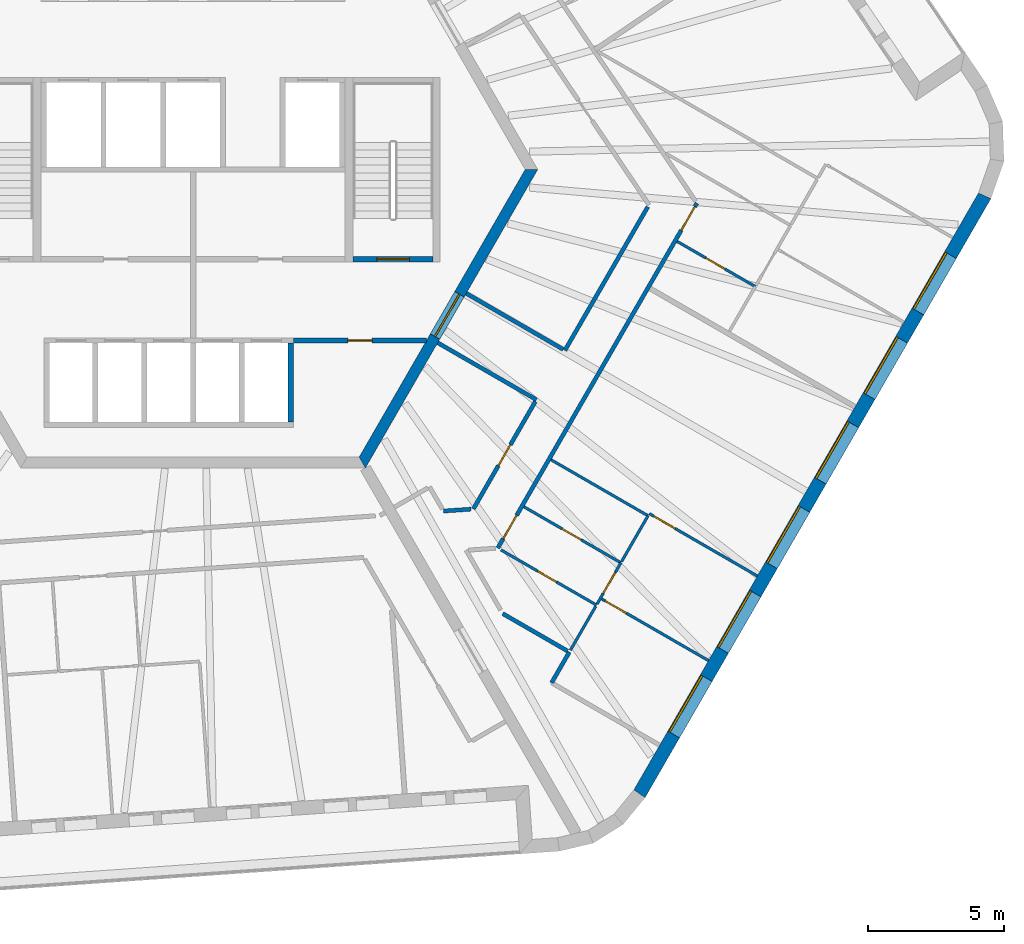
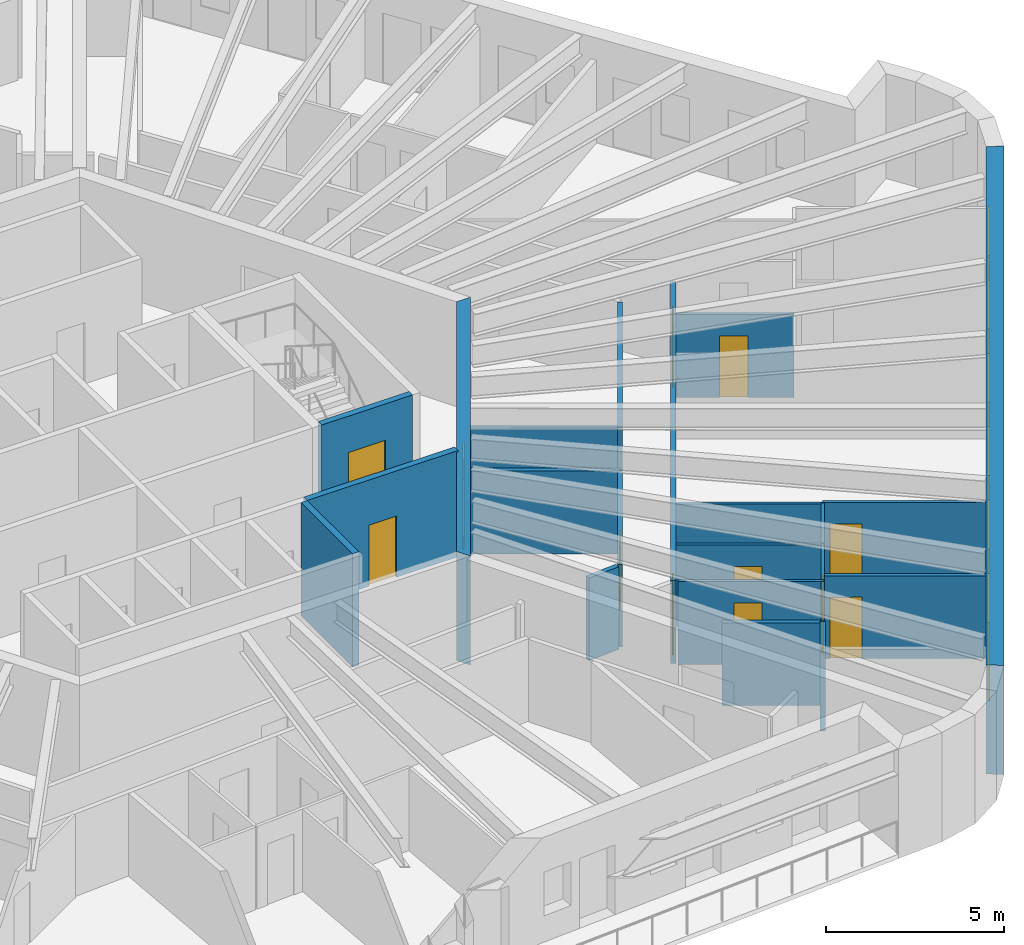
# One storey, part 6 of 12: 22 walls, 12 doors, 6 windows, 18 openings.
"""IFC4 building model written with IfcOpenShell, lengths in metres."""

from ifc_helpers import new_model, si_unit, direction, frame, frame_2d, origin, place, context, subcontext, project, spatial, polyline, rectangle, outline, extrude, material, layer, layer_set, type_object, element, fill, save


model = new_model("IFC4")

# Units and contexts
model_context = context("Model", 3, precision=1e-05, world=origin(), true_north=direction((0.0, 1.0)))
body_context = subcontext(model_context, "Body", "Model", "MODEL_VIEW")
ifc_project = project(units=[si_unit("LENGTHUNIT", "METRE"), si_unit("AREAUNIT", "SQUARE_METRE"), si_unit("VOLUMEUNIT", "CUBIC_METRE"), si_unit("PLANEANGLEUNIT", "RADIAN"), si_unit("MASSUNIT", "GRAM", prefix="KILO")], contexts=[model_context])

# Site, building, storey
site_placement = place(None, origin())
site = spatial("IfcSite", under=ifc_project, at=site_placement, CompositionType="ELEMENT")
building_placement = place(site_placement, origin())
building = spatial("IfcBuilding", under=site, at=building_placement, Name="Tarnside Tower", CompositionType="ELEMENT")
storey_placement = place(building_placement, frame((0.0, 0.0, 334.199951171875)))
storey = spatial("IfcBuildingStorey", under=building, at=storey_placement, Name="L81", CompositionType="ELEMENT", Elevation=334.199951171875)

# Wall
ifc_material_1 = material(Name="Gypsum board partition on steel studs", Category="steel")
ifc_layer_1 = layer(ifc_material_1, 0.10009765625)
ifc_layer_set_1 = layer_set([ifc_layer_1], Name="Bathroom wall 100")
wall_type_1 = type_object("IfcWallType", Name="Bathroom wall 100", PredefinedType="PARTITIONING", material=ifc_layer_set_1)
wall_1_placement = place(storey_placement, frame((13.194091796875, -10.697265625, 0.0), z_axis=(0.0, 0.0, 1.0), x_axis=(0.866019999656, -0.500009360108, 0.0)))
element("IfcWall", 1, at=wall_1_placement, inside=storey, type_object=wall_type_1, Name="Bathroom wall 26137", PredefinedType="PARTITIONING", context=body_context, shape_type="SweptSolid", body=[
    extrude(rectangle(XDim=4.125, YDim=0.10009765625, at=frame_2d((2.0625, 0.0))), origin(), (0.0, 0.0, 1.0), 2.837890625),
])

# Wall, opening, door
wall_2_placement = place(storey_placement, frame((15.766357421875, -14.491943359375, 0.0), z_axis=(0.0, 0.0, 1.0), x_axis=(-0.866019999656, 0.500009360108, 0.0)))
wall_2 = element("IfcWall", 2, at=wall_2_placement, inside=storey, type_object=wall_type_1, Name="Bathroom wall 26141", PredefinedType="PARTITIONING", context=body_context, shape_type="SweptSolid", body=[
    extrude(rectangle(XDim=4.125, YDim=0.10009765625, at=frame_2d((2.0625, 0.0))), origin(), (0.0, 0.0, 1.0), 2.837890625),
])
opening_1_placement = place(wall_2_placement, frame((1.699951171875, 0.0, 0.0)))
opening_1 = element("IfcOpeningElement", 3, at=opening_1_placement, cuts=wall_2, Name="Opening D-B1", PredefinedType="OPENING", context=body_context, shape_type="SweptSolid", body=[
    extrude(rectangle(XDim=0.800048828125, YDim=2.10009765625, at=frame_2d((0.39990234375, 1.050048828125))), frame((0.0, 0.06005859375, 0.0), z_axis=(0.0, -1.0, 0.0), x_axis=(1.0, 0.0, 0.0)), (0.0, 0.0, 1.0), 0.1201171875),
])
ifc_material_2 = material(Name="Timber door leaf", Category="wood")
door_type_1 = type_object("IfcDoorType", Name="Bathroom door 800", OperationType="NOTDEFINED", PredefinedType="DOOR", material=ifc_material_2)
door_1_placement = place(opening_1_placement, origin())
door_1 = element("IfcDoor", 4, at=door_1_placement, inside=storey, type_object=door_type_1, Name="Bathroom door 26041", OperationType="SINGLE_SWING_LEFT", OverallHeight=2.10009765625, OverallWidth=0.800048828125, PredefinedType="DOOR", context=body_context, shape_type="SweptSolid", body=[
    extrude(rectangle(XDim=0.800048828125, YDim=2.10009765625, at=frame_2d((0.39990234375, 1.050048828125))), frame((0.0, 0.02490234375, 0.0), z_axis=(0.0, -1.0, 0.0), x_axis=(1.0, 0.0, 0.0)), (0.0, 0.0, 1.0), 0.050048828125),
])
fill(opening_1, door_1)

wall_3_placement = place(storey_placement, frame((11.34521484375, -14.017822265625, 0.0), z_axis=(0.0, 0.0, 1.0), x_axis=(0.866028600041, -0.49999446388, 0.0)))
wall_3 = element("IfcWall", 5, at=wall_3_placement, inside=storey, type_object=wall_type_1, Name="Bathroom wall 26144", PredefinedType="PARTITIONING", context=body_context, shape_type="SweptSolid", body=[
    extrude(rectangle(XDim=4.06591796875, YDim=0.10009765625, at=frame_2d((2.032958984375, 0.0))), origin(), (0.0, 0.0, 1.0), 2.837890625),
])
opening_2_placement = place(wall_3_placement, frame((1.56591796875, 0.0, 0.0)))
opening_2 = element("IfcOpeningElement", 6, at=opening_2_placement, cuts=wall_3, Name="Opening D-B1", PredefinedType="OPENING", context=body_context, shape_type="SweptSolid", body=[
    extrude(rectangle(XDim=0.800048828125, YDim=2.10009765625, at=frame_2d((0.39990234375, 1.050048828125))), frame((0.0, 0.06005859375, 0.0), z_axis=(0.0, -1.0, 0.0), x_axis=(1.0, 0.0, 0.0)), (0.0, 0.0, 1.0), 0.1201171875),
])
door_2_placement = place(opening_2_placement, origin())
door_2 = element("IfcDoor", 7, at=door_2_placement, inside=storey, type_object=door_type_1, Name="Bathroom door 26050", OperationType="SINGLE_SWING_RIGHT", OverallHeight=2.10009765625, OverallWidth=0.800048828125, PredefinedType="DOOR", context=body_context, shape_type="SweptSolid", body=[
    extrude(rectangle(XDim=0.800048828125, YDim=2.10009765625, at=frame_2d((0.39990234375, 1.050048828125))), frame((0.0, 0.02490234375, 0.0), z_axis=(0.0, -1.0, 0.0), x_axis=(1.0, 0.0, 0.0)), (0.0, 0.0, 1.0), 0.050048828125),
])
fill(opening_2, door_2)

# Walls
wall_4_placement = place(storey_placement, frame((15.790283203125, -14.4501953125, 0.0), z_axis=(0.0, 0.0, 1.0), x_axis=(0.500036104519, 0.866004557827, 0.0)))
element("IfcWall", 8, at=wall_4_placement, inside=storey, type_object=wall_type_1, Name="Bathroom wall 26145", PredefinedType="PARTITIONING", context=body_context, shape_type="SweptSolid", body=[
    extrude(rectangle(XDim=1.953857421875, YDim=0.10009765625, at=frame_2d((0.97705078125, 0.0))), origin(), (0.0, 0.0, 1.0), 2.837890625),
])
wall_5_placement = place(storey_placement, frame((14.84130859375, -16.093994140625, 0.0), z_axis=(0.0, 0.0, 1.0), x_axis=(-0.500004234368, -0.866022959057, 0.0)))
element("IfcWall", 9, at=wall_5_placement, inside=storey, type_object=wall_type_1, Name="Bathroom wall 26147", PredefinedType="PARTITIONING", context=body_context, shape_type="SweptSolid", body=[
    extrude(rectangle(XDim=1.875, YDim=0.10009765625, at=frame_2d((0.9375, 0.0))), origin(), (0.0, 0.0, 1.0), 2.837890625),
])

# Wall, opening, door
wall_6_placement = place(storey_placement, frame((17.840087890625, -2.650146484375, 0.0), z_axis=(0.0, 0.0, 1.0), x_axis=(0.866002163101, -0.500040251884, 0.0)))
wall_6 = element("IfcWall", 10, at=wall_6_placement, inside=storey, type_object=wall_type_1, Name="Bathroom wall 26153", PredefinedType="PARTITIONING", context=body_context, shape_type="SweptSolid", body=[
    extrude(rectangle(XDim=3.324951171875, YDim=0.10009765625, at=frame_2d((1.66259765625, 0.0))), origin(), (0.0, 0.0, 1.0), 2.837890625),
])
opening_3_placement = place(wall_6_placement, frame((1.22509765625, 0.0, 0.0)))
opening_3 = element("IfcOpeningElement", 11, at=opening_3_placement, cuts=wall_6, Name="Opening D-B1", PredefinedType="OPENING", context=body_context, shape_type="SweptSolid", body=[
    extrude(rectangle(XDim=0.800048828125, YDim=2.10009765625, at=frame_2d((0.39990234375, 1.050048828125))), frame((0.0, 0.06005859375, 0.0), z_axis=(0.0, -1.0, 0.0), x_axis=(1.0, 0.0, 0.0)), (0.0, 0.0, 1.0), 0.1201171875),
])
door_3_placement = place(opening_3_placement, origin())
door_3 = element("IfcDoor", 12, at=door_3_placement, inside=storey, type_object=door_type_1, Name="Bathroom door 26052", OperationType="SINGLE_SWING_RIGHT", OverallHeight=2.10009765625, OverallWidth=0.800048828125, PredefinedType="DOOR", context=body_context, shape_type="SweptSolid", body=[
    extrude(rectangle(XDim=0.800048828125, YDim=2.10009765625, at=frame_2d((0.39990234375, 1.050048828125))), frame((0.0, 0.02490234375, 0.0), z_axis=(0.0, -1.0, 0.0), x_axis=(1.0, 0.0, 0.0)), (0.0, 0.0, 1.0), 0.050048828125),
])
fill(opening_3, door_3)

ifc_material_3 = material(Name="Concrete C40/50", Category="concrete")
ifc_layer_2 = layer(ifc_material_3, 0.199951171875)
ifc_layer_set_2 = layer_set([ifc_layer_2], Name="Core room partition 200 C40/50")
wall_type_2 = type_object("IfcWallType", Name="Core room partition 200 C40/50", PredefinedType="PARTITIONING", material=ifc_layer_set_2)
wall_7_placement = place(storey_placement, frame((3.699951171875, -6.300048828125, 0.0), z_axis=(0.0, 0.0, 1.0), x_axis=(1.0, 0.0, 0.0)))
wall_7 = element("IfcWall", 13, at=wall_7_placement, inside=storey, type_object=wall_type_2, Name="L81 core partition R4X", PredefinedType="PARTITIONING", context=body_context, shape_type="SweptSolid", body=[
    extrude(rectangle(XDim=4.902587890625, YDim=0.199951171875, at=frame_2d((2.451171875, 0.0))), origin(), (0.0, 0.0, 1.0), 3.650146484375),
])
opening_4_placement = place(wall_7_placement, frame((2.001220703125, 0.0, 0.0)))
opening_4 = element("IfcOpeningElement", 14, at=opening_4_placement, cuts=wall_7, Name="Opening CD-room", PredefinedType="OPENING", context=body_context, shape_type="SweptSolid", body=[
    extrude(rectangle(XDim=0.89990234375, YDim=2.10009765625, at=frame_2d((0.449951171875, 1.050048828125))), frame((0.0, 0.10986328125, 0.0), z_axis=(0.0, -1.0, 0.0), x_axis=(1.0, 0.0, 0.0)), (0.0, 0.0, 1.0), 0.219970703125),
])
ifc_material_4 = material(Name="Steel fire door", Category="steel")
door_type_2 = type_object("IfcDoorType", Name="Room door FD60 900x2100", OperationType="NOTDEFINED", PredefinedType="DOOR", material=ifc_material_4)
door_4_placement = place(opening_4_placement, origin())
door_4 = element("IfcDoor", 15, at=door_4_placement, inside=storey, type_object=door_type_2, Name="L81 core room door RX", OperationType="SINGLE_SWING_LEFT", OverallHeight=2.10009765625, OverallWidth=0.89990234375, PredefinedType="DOOR", context=body_context, shape_type="SweptSolid", body=[
    extrude(rectangle(XDim=0.89990234375, YDim=2.10009765625, at=frame_2d((0.449951171875, 1.050048828125))), frame((0.0, 0.02490234375, 0.0), z_axis=(0.0, -1.0, 0.0), x_axis=(1.0, 0.0, 0.0)), (0.0, 0.0, 1.0), 0.050048828125),
])
fill(opening_4, door_4)

ifc_material_5 = material(Name="Concrete C60/75", Category="concrete")
ifc_layer_3 = layer(ifc_material_5, 0.39990234375)
ifc_layer_set_3 = layer_set([ifc_layer_3], Name="Core wall Z3 400 C60/75")
wall_type_3 = type_object("IfcWallType", Name="Core wall Z3 400 C60/75", PredefinedType="SHEAR", material=ifc_layer_set_3)
wall_8_placement = place(storey_placement, frame((6.2353515625, -10.800048828125, -0.14990234375), z_axis=(0.0, 0.0, 1.0), x_axis=(0.499996419489, 0.866027470984, 0.0)))
wall_8 = element("IfcWall", 16, at=wall_8_placement, inside=storey, type_object=wall_type_3, Name="L81 core wall face 5", PredefinedType="SHEAR", context=body_context, shape_type="SweptSolid", body=[
    extrude(outline(polyline([(-0.115478515625, -0.199951171875), (12.586181640625, -0.199951171875), (12.355224609375, 0.199951171875), (0.115478515625, 0.199951171875), (-0.115478515625, -0.199951171875)])), origin(), (0.0, 0.0, 1.0), 3.75),
])
opening_5_placement = place(wall_8_placement, frame((5.3642578125, 0.0, 0.14990234375)))
opening_5 = element("IfcOpeningElement", 17, at=opening_5_placement, cuts=wall_8, Name="Opening CD-FFL", PredefinedType="OPENING", context=body_context, shape_type="SweptSolid", body=[
    extrude(rectangle(XDim=1.800048828125, YDim=2.39990234375, at=frame_2d((0.89990234375, 1.199951171875))), frame((0.0, 0.2099609375, 0.0), z_axis=(0.0, -1.0, 0.0), x_axis=(1.0, 0.0, 0.0)), (0.0, 0.0, 1.0), 0.419921875),
])
door_type_3 = type_object("IfcDoorType", Name="Firefighting lobby double door FD60S 1800x2400", OperationType="NOTDEFINED", PredefinedType="DOOR", material=ifc_material_4)
door_5_placement = place(opening_5_placement, origin())
door_5 = element("IfcDoor", 18, at=door_5_placement, inside=storey, type_object=door_type_3, Name="L81 core door P4", OperationType="DOUBLE_DOOR_SINGLE_SWING", OverallHeight=2.39990234375, OverallWidth=1.800048828125, PredefinedType="DOOR", context=body_context, shape_type="SweptSolid", body=[
    extrude(rectangle(XDim=1.800048828125, YDim=2.39990234375, at=frame_2d((0.89990234375, 1.199951171875))), frame((0.0, 0.02490234375, 0.0), z_axis=(0.0, -1.0, 0.0), x_axis=(1.0, 0.0, 0.0)), (0.0, 0.0, 1.0), 0.050048828125),
])
fill(opening_5, door_5)

# Wall, openings, doors
ifc_layer_4 = layer(ifc_material_1, 0.14990234375)
ifc_layer_set_4 = layer_set([ifc_layer_4], Name="Corridor wall 150 EI 60")
wall_type_4 = type_object("IfcWallType", Name="Corridor wall 150 EI 60", PredefinedType="PARTITIONING", material=ifc_layer_set_4)
wall_9_placement = place(storey_placement, frame((11.22900390625, -13.95068359375, 0.0), z_axis=(0.0, 0.0, 1.0), x_axis=(0.499997948852, 0.866026588012, 0.0)))
wall_9 = element("IfcWall", 19, at=wall_9_placement, inside=storey, type_object=wall_type_4, Name="Corridor wall 26054", PredefinedType="PARTITIONING", context=body_context, shape_type="SweptSolid", body=[
    extrude(rectangle(XDim=14.67724609375, YDim=0.14990234375, at=frame_2d((7.338623046875, 0.0))), origin(), (0.0, 0.0, 1.0), 2.837890625),
])
opening_6_placement = place(wall_9_placement, frame((0.39990234375, 0.0, 0.0)))
opening_6 = element("IfcOpeningElement", 20, at=opening_6_placement, cuts=wall_9, Name="Opening D-E1", PredefinedType="OPENING", context=body_context, shape_type="SweptSolid", body=[
    extrude(rectangle(XDim=1.0, YDim=2.10009765625, at=frame_2d((0.5, 1.050048828125))), frame((0.0, 0.0849609375, 0.0), z_axis=(0.0, -1.0, 0.0), x_axis=(1.0, 0.0, 0.0)), (0.0, 0.0, 1.0), 0.169921875),
])
opening_7_placement = place(wall_9_placement, frame((13.52734375, 0.0, 0.0)))
opening_7 = element("IfcOpeningElement", 21, at=opening_7_placement, cuts=wall_9, Name="Opening D-E1", PredefinedType="OPENING", context=body_context, shape_type="SweptSolid", body=[
    extrude(rectangle(XDim=1.0, YDim=2.10009765625, at=frame_2d((0.5, 1.050048828125))), frame((0.0, 0.0849609375, 0.0), z_axis=(0.0, -1.0, 0.0), x_axis=(1.0, 0.0, 0.0)), (0.0, 0.0, 1.0), 0.169921875),
])
door_type_4 = type_object("IfcDoorType", Name="Unit entrance door 1000 FD30S", OperationType="NOTDEFINED", PredefinedType="DOOR", material=ifc_material_2)
door_6_placement = place(opening_6_placement, origin())
door_6 = element("IfcDoor", 22, at=door_6_placement, inside=storey, type_object=door_type_4, Name="Unit door 26040", OperationType="SINGLE_SWING_RIGHT", OverallHeight=2.10009765625, OverallWidth=1.0, PredefinedType="DOOR", context=body_context, shape_type="SweptSolid", body=[
    extrude(rectangle(XDim=1.0, YDim=2.10009765625, at=frame_2d((0.5, 1.050048828125))), frame((0.0, 0.02490234375, 0.0), z_axis=(0.0, -1.0, 0.0), x_axis=(1.0, 0.0, 0.0)), (0.0, 0.0, 1.0), 0.050048828125),
])
fill(opening_6, door_6)
door_7_placement = place(opening_7_placement, origin())
door_7 = element("IfcDoor", 23, at=door_7_placement, inside=storey, type_object=door_type_4, Name="Unit door 26051", OperationType="SINGLE_SWING_LEFT", OverallHeight=2.10009765625, OverallWidth=1.0, PredefinedType="DOOR", context=body_context, shape_type="SweptSolid", body=[
    extrude(rectangle(XDim=1.0, YDim=2.10009765625, at=frame_2d((0.5, 1.050048828125))), frame((0.0, 0.02490234375, 0.0), z_axis=(0.0, -1.0, 0.0), x_axis=(1.0, 0.0, 0.0)), (0.0, 0.0, 1.0), 0.050048828125),
])
fill(opening_7, door_7)

# Walls
wall_10_placement = place(storey_placement, frame((13.212890625, -18.91455078125, 0.0), z_axis=(0.0, 0.0, 1.0), x_axis=(0.499985832843, 0.866033583042, 0.0)))
element("IfcWall", 24, at=wall_10_placement, inside=storey, type_object=wall_type_4, Name="Corridor wall 26057", PredefinedType="PARTITIONING", context=body_context, shape_type="SweptSolid", body=[
    extrude(rectangle(XDim=1.310546875, YDim=0.14990234375, at=frame_2d((0.6552734375, 0.0))), origin(), (0.0, 0.0, 1.0), 2.837890625),
])
wall_11_placement = place(storey_placement, frame((13.801513671875, -17.7451171875, 0.0), z_axis=(0.0, 0.0, 1.0), x_axis=(-0.866051521422, 0.499954760196, 0.0)))
element("IfcWall", 25, at=wall_11_placement, inside=storey, type_object=wall_type_4, Name="Corridor wall 26059", PredefinedType="PARTITIONING", context=body_context, shape_type="SweptSolid", body=[
    extrude(rectangle(XDim=2.759521484375, YDim=0.14990234375, at=frame_2d((1.3798828125, 0.0))), origin(), (0.0, 0.0, 1.0), 2.837890625),
])
wall_12_placement = place(storey_placement, frame((9.015625, -6.38427734375, 0.0), z_axis=(0.0, 0.0, 1.0), x_axis=(0.866023935413, -0.500002543286, 0.0)))
element("IfcWall", 26, at=wall_12_placement, inside=storey, type_object=wall_type_4, Name="Corridor wall 26072", PredefinedType="PARTITIONING", context=body_context, shape_type="SweptSolid", body=[
    extrude(rectangle(XDim=4.2001953125, YDim=0.14990234375, at=frame_2d((2.10009765625, 0.0))), origin(), (0.0, 0.0, 1.0), 2.837890625),
])

# Wall, opening, door
wall_13_placement = place(storey_placement, frame((12.615478515625, -8.54931640625, 0.0), z_axis=(0.0, 0.0, 1.0), x_axis=(-0.499985850067, -0.866033573098, 0.0)))
wall_13 = element("IfcWall", 27, at=wall_13_placement, inside=storey, type_object=wall_type_4, Name="Corridor wall 26073", PredefinedType="PARTITIONING", context=body_context, shape_type="SweptSolid", body=[
    extrude(rectangle(XDim=4.573486328125, YDim=0.14990234375, at=frame_2d((2.28662109375, 0.0))), origin(), (0.0, 0.0, 1.0), 2.837890625),
])
opening_8_placement = place(wall_13_placement, frame((1.836669921875, 0.0, 0.0)))
opening_8 = element("IfcOpeningElement", 28, at=opening_8_placement, cuts=wall_13, Name="Opening D-S1", PredefinedType="OPENING", context=body_context, shape_type="SweptSolid", body=[
    extrude(rectangle(XDim=0.89990234375, YDim=2.10009765625, at=frame_2d((0.449951171875, 1.050048828125))), frame((0.0, 0.0849609375, 0.0), z_axis=(0.0, -1.0, 0.0), x_axis=(1.0, 0.0, 0.0)), (0.0, 0.0, 1.0), 0.169921875),
])
door_type_5 = type_object("IfcDoorType", Name="Service room door 900 FD30S", OperationType="NOTDEFINED", PredefinedType="DOOR", material=ifc_material_2)
door_8_placement = place(opening_8_placement, origin())
door_8 = element("IfcDoor", 29, at=door_8_placement, inside=storey, type_object=door_type_5, Name="Service door 26075", OperationType="SINGLE_SWING_LEFT", OverallHeight=2.10009765625, OverallWidth=0.89990234375, PredefinedType="DOOR", context=body_context, shape_type="SweptSolid", body=[
    extrude(rectangle(XDim=0.89990234375, YDim=2.10009765625, at=frame_2d((0.449951171875, 1.050048828125))), frame((0.0, 0.02490234375, 0.0), z_axis=(0.0, -1.0, 0.0), x_axis=(1.0, 0.0, 0.0)), (0.0, 0.0, 1.0), 0.050048828125),
])
fill(opening_8, door_8)

# Walls
wall_14_placement = place(storey_placement, frame((10.238525390625, -12.516357421875, 0.0), z_axis=(0.0, 0.0, 1.0), x_axis=(-0.997561825928, -0.069788275888, 0.0)))
element("IfcWall", 30, at=wall_14_placement, inside=storey, type_object=wall_type_4, Name="Corridor wall 26074", PredefinedType="PARTITIONING", context=body_context, shape_type="SweptSolid", body=[
    extrude(rectangle(XDim=1.010986328125, YDim=0.14990234375, at=frame_2d((0.50537109375, 0.0))), origin(), (0.0, 0.0, 1.0), 2.837890625),
])
wall_15_placement = place(storey_placement, frame((16.75830078125, -1.373779296875, 0.0), z_axis=(0.0, 0.0, 1.0), x_axis=(-0.499980689202, -0.866036552592, 0.0)))
element("IfcWall", 31, at=wall_15_placement, inside=storey, type_object=wall_type_4, Name="Corridor wall 26079", PredefinedType="PARTITIONING", context=body_context, shape_type="SweptSolid", body=[
    extrude(rectangle(XDim=6.110595703125, YDim=0.14990234375, at=frame_2d((3.05517578125, 0.0))), origin(), (0.0, 0.0, 1.0), 2.837890625),
])
wall_16_placement = place(storey_placement, frame((13.63818359375, -6.628173828125, 0.0), z_axis=(0.0, 0.0, 1.0), x_axis=(-0.866034795751, 0.499983732284, 0.0)))
element("IfcWall", 32, at=wall_16_placement, inside=storey, type_object=wall_type_4, Name="Corridor wall 26080", PredefinedType="PARTITIONING", context=body_context, shape_type="SweptSolid", body=[
    extrude(rectangle(XDim=4.125244140625, YDim=0.14990234375, at=frame_2d((2.0625, 0.0))), origin(), (0.0, 0.0, 1.0), 2.837890625),
])
ifc_layer_5 = layer(ifc_material_3, 0.199951171875)
ifc_layer_set_5 = layer_set([ifc_layer_5], Name="Lift shaft wall 200 C40/50")
wall_type_5 = type_object("IfcWallType", Name="Lift shaft wall 200 C40/50", PredefinedType="SHEAR", material=ifc_layer_set_5)
wall_17_placement = place(storey_placement, frame((3.60009765625, -9.300048828125, -0.25), z_axis=(0.0, 0.0, 1.0), x_axis=(0.0, 1.0, 0.0)))
element("IfcWall", 33, at=wall_17_placement, inside=storey, type_object=wall_type_5, Name="L81 lift shaft partition R46", PredefinedType="SHEAR", context=body_context, shape_type="SweptSolid", body=[
    extrude(rectangle(XDim=2.900146484375, YDim=0.199951171875, at=frame_2d((1.4501953125, 0.0))), origin(), (0.0, 0.0, 1.0), 3.900146484375),
])

# Wall, opening, door
wall_18_placement = place(storey_placement, frame((5.89990234375, -3.300048828125, -0.25), z_axis=(0.0, 0.0, 1.0), x_axis=(1.0, 0.0, 0.0)))
wall_18 = element("IfcWall", 34, at=wall_18_placement, inside=storey, type_object=wall_type_5, Name="L81 stair 1 enclosure cap wall s", PredefinedType="SHEAR", context=body_context, shape_type="SweptSolid", body=[
    extrude(rectangle(XDim=2.9501953125, YDim=0.199951171875, at=frame_2d((1.47509765625, 0.0))), origin(), (0.0, 0.0, 1.0), 3.900146484375),
])
opening_9_placement = place(wall_18_placement, frame((0.875, 0.0, 0.25)))
opening_9 = element("IfcOpeningElement", 35, at=opening_9_placement, cuts=wall_18, Name="Opening CD-STR", PredefinedType="OPENING", context=body_context, shape_type="SweptSolid", body=[
    extrude(rectangle(XDim=1.199951171875, YDim=2.39990234375, at=frame_2d((0.60009765625, 1.199951171875))), frame((0.0, 0.10986328125, 0.0), z_axis=(0.0, -1.0, 0.0), x_axis=(1.0, 0.0, 0.0)), (0.0, 0.0, 1.0), 0.219970703125),
])
door_type_6 = type_object("IfcDoorType", Name="Stair door FD60S 1200x2400", OperationType="NOTDEFINED", PredefinedType="DOOR", material=ifc_material_4)
door_9_placement = place(opening_9_placement, origin())
door_9 = element("IfcDoor", 36, at=door_9_placement, inside=storey, type_object=door_type_6, Name="L81 stair 1 door", OperationType="SINGLE_SWING_LEFT", OverallHeight=2.39990234375, OverallWidth=1.199951171875, PredefinedType="DOOR", context=body_context, shape_type="SweptSolid", body=[
    extrude(rectangle(XDim=1.199951171875, YDim=2.39990234375, at=frame_2d((0.60009765625, 1.199951171875))), frame((0.0, 0.02490234375, 0.0), z_axis=(0.0, -1.0, 0.0), x_axis=(1.0, 0.0, 0.0)), (0.0, 0.0, 1.0), 0.050048828125),
])
fill(opening_9, door_9)

ifc_layer_6 = layer(ifc_material_1, 0.10009765625)
ifc_layer_set_6 = layer_set([ifc_layer_6], Name="Partition 100")
wall_type_6 = type_object("IfcWallType", Name="Partition 100", PredefinedType="PARTITIONING", material=ifc_layer_set_6)
wall_19_placement = place(storey_placement, frame((16.812255859375, -12.68017578125, 0.0), z_axis=(0.0, 0.0, 1.0), x_axis=(0.866030038822, -0.499991971794, 0.0)))
wall_19 = element("IfcWall", 37, at=wall_19_placement, inside=storey, type_object=wall_type_6, Name="Partition wall 26138", PredefinedType="PARTITIONING", context=body_context, shape_type="SweptSolid", body=[
    extrude(rectangle(XDim=4.60009765625, YDim=0.10009765625, at=frame_2d((2.300048828125, 0.0))), origin(), (0.0, 0.0, 1.0), 2.837890625),
])
opening_10_placement = place(wall_19_placement, frame((0.199951171875, 0.0, 0.0)))
opening_10 = element("IfcOpeningElement", 38, at=opening_10_placement, cuts=wall_19, Name="Opening D-I1", PredefinedType="OPENING", context=body_context, shape_type="SweptSolid", body=[
    extrude(rectangle(XDim=0.89990234375, YDim=2.10009765625, at=frame_2d((0.449951171875, 1.050048828125))), frame((0.0, 0.06005859375, 0.0), z_axis=(0.0, -1.0, 0.0), x_axis=(1.0, 0.0, 0.0)), (0.0, 0.0, 1.0), 0.1201171875),
])
door_type_7 = type_object("IfcDoorType", Name="Internal door 900", OperationType="NOTDEFINED", PredefinedType="DOOR", material=ifc_material_2)
door_10_placement = place(opening_10_placement, origin())
door_10 = element("IfcDoor", 39, at=door_10_placement, inside=storey, type_object=door_type_7, Name="Internal door 26049", OperationType="SINGLE_SWING_RIGHT", OverallHeight=2.10009765625, OverallWidth=0.89990234375, PredefinedType="DOOR", context=body_context, shape_type="SweptSolid", body=[
    extrude(rectangle(XDim=0.89990234375, YDim=2.10009765625, at=frame_2d((0.449951171875, 1.050048828125))), frame((0.0, 0.02490234375, 0.0), z_axis=(0.0, -1.0, 0.0), x_axis=(1.0, 0.0, 0.0)), (0.0, 0.0, 1.0), 0.050048828125),
])
fill(opening_10, door_10)

wall_20_placement = place(storey_placement, frame((14.890380859375, -16.009033203125, 0.0), z_axis=(0.0, 0.0, 1.0), x_axis=(0.499971461383, 0.866041879935, 0.0)))
wall_20 = element("IfcWall", 40, at=wall_20_placement, inside=storey, type_object=wall_type_6, Name="Partition wall 26142", PredefinedType="PARTITIONING", context=body_context, shape_type="SweptSolid", body=[
    extrude(rectangle(XDim=1.75390625, YDim=0.10009765625, at=frame_2d((0.876953125, 0.0))), origin(), (0.0, 0.0, 1.0), 2.837890625),
])
opening_11_placement = place(wall_20_placement, frame((0.44384765625, 0.0, 0.0)))
opening_11 = element("IfcOpeningElement", 41, at=opening_11_placement, cuts=wall_20, Name="Opening D-I1", PredefinedType="OPENING", context=body_context, shape_type="SweptSolid", body=[
    extrude(rectangle(XDim=0.89990234375, YDim=2.10009765625, at=frame_2d((0.449951171875, 1.050048828125))), frame((0.0, 0.06005859375, 0.0), z_axis=(0.0, -1.0, 0.0), x_axis=(1.0, 0.0, 0.0)), (0.0, 0.0, 1.0), 0.1201171875),
])
door_11_placement = place(opening_11_placement, origin())
door_11 = element("IfcDoor", 42, at=door_11_placement, inside=storey, type_object=door_type_7, Name="Internal door 26044", OperationType="SINGLE_SWING_RIGHT", OverallHeight=2.10009765625, OverallWidth=0.89990234375, PredefinedType="DOOR", context=body_context, shape_type="SweptSolid", body=[
    extrude(rectangle(XDim=0.89990234375, YDim=2.10009765625, at=frame_2d((0.449951171875, 1.050048828125))), frame((0.0, 0.02490234375, 0.0), z_axis=(0.0, -1.0, 0.0), x_axis=(1.0, 0.0, 0.0)), (0.0, 0.0, 1.0), 0.050048828125),
])
fill(opening_11, door_11)

wall_21_placement = place(storey_placement, frame((18.99609375, -18.097900390625, 0.0), z_axis=(0.0, 0.0, 1.0), x_axis=(-0.866035472144, 0.499982560684, 0.0)))
wall_21 = element("IfcWall", 43, at=wall_21_placement, inside=storey, type_object=wall_type_6, Name="Partition wall 26146", PredefinedType="PARTITIONING", context=body_context, shape_type="SweptSolid", body=[
    extrude(rectangle(XDim=4.550048828125, YDim=0.10009765625, at=frame_2d((2.27490234375, 0.0))), origin(), (0.0, 0.0, 1.0), 2.837890625),
])
opening_12_placement = place(wall_21_placement, frame((3.5, 0.0, 0.0)))
opening_12 = element("IfcOpeningElement", 44, at=opening_12_placement, cuts=wall_21, Name="Opening D-I1", PredefinedType="OPENING", context=body_context, shape_type="SweptSolid", body=[
    extrude(rectangle(XDim=0.89990234375, YDim=2.10009765625, at=frame_2d((0.449951171875, 1.050048828125))), frame((0.0, 0.06005859375, 0.0), z_axis=(0.0, -1.0, 0.0), x_axis=(1.0, 0.0, 0.0)), (0.0, 0.0, 1.0), 0.1201171875),
])
door_12_placement = place(opening_12_placement, origin())
door_12 = element("IfcDoor", 45, at=door_12_placement, inside=storey, type_object=door_type_7, Name="Internal door 26047", OperationType="SINGLE_SWING_RIGHT", OverallHeight=2.10009765625, OverallWidth=0.89990234375, PredefinedType="DOOR", context=body_context, shape_type="SweptSolid", body=[
    extrude(rectangle(XDim=0.89990234375, YDim=2.10009765625, at=frame_2d((0.449951171875, 1.050048828125))), frame((0.0, 0.02490234375, 0.0), z_axis=(0.0, -1.0, 0.0), x_axis=(1.0, 0.0, 0.0)), (0.0, 0.0, 1.0), 0.050048828125),
])
fill(opening_12, door_12)

# Wall, openings, windows
ifc_material_6 = material(Name="Facing brick", Category="masonry")
ifc_layer_7 = layer(ifc_material_6, 0.10205078125)
ifc_material_7 = material(Name="Concrete C60/75 precast", Category="concrete")
ifc_layer_8 = layer(ifc_material_7, 0.298095703125)
ifc_material_8 = material(Name="Mineral wool insulation")
ifc_layer_9 = layer(ifc_material_8, 0.10009765625)
ifc_layer_set_7 = layer_set([ifc_layer_7, ifc_layer_8, ifc_layer_9], Name="Tube wall 500 brick faced")
wall_type_7 = type_object("IfcWallType", Name="Tube wall 500 brick faced", PredefinedType="SOLIDWALL", material=ifc_layer_set_7)
wall_22_placement = place(storey_placement, frame((16.451416015625, -23.00537109375, -0.14990234375), z_axis=(0.0, 0.0, 1.0), x_axis=(0.500003737743, 0.866023245787, 0.0)))
wall_22 = element("IfcWall", 46, at=wall_22_placement, inside=storey, type_object=wall_type_7, Name="Tube wall L81 F5 flush 24", PredefinedType="SOLIDWALL", context=body_context, shape_type="SweptSolid", body=[
    extrude(outline(polyline([(-0.0205078125, -0.25), (25.468017578125, -0.25), (25.421142578125, 0.25), (0.0205078125, 0.25), (-0.0205078125, -0.25)])), origin(), (0.0, 0.0, 1.0), 3.75),
])
opening_13_placement = place(wall_22_placement, frame((2.5224609375, 0.0, 0.75)))
opening_13 = element("IfcOpeningElement", 47, at=opening_13_placement, cuts=wall_22, Name="Opening WR", PredefinedType="OPENING", context=body_context, shape_type="SweptSolid", body=[
    extrude(rectangle(XDim=2.39990234375, YDim=2.699951171875, at=frame_2d((1.199951171875, 1.35009765625))), frame((0.0, 0.260009765625, 0.0), z_axis=(0.0, -1.0, 0.0), x_axis=(1.0, 0.0, 0.0)), (0.0, 0.0, 1.0), 0.52001953125),
])
opening_14_placement = place(wall_22_placement, frame((6.122314453125, 0.0, 0.75)))
opening_14 = element("IfcOpeningElement", 48, at=opening_14_placement, cuts=wall_22, Name="Opening WR", PredefinedType="OPENING", context=body_context, shape_type="SweptSolid", body=[
    extrude(rectangle(XDim=2.39990234375, YDim=2.699951171875, at=frame_2d((1.199951171875, 1.35009765625))), frame((0.0, 0.260009765625, 0.0), z_axis=(0.0, -1.0, 0.0), x_axis=(1.0, 0.0, 0.0)), (0.0, 0.0, 1.0), 0.52001953125),
])
opening_15_placement = place(wall_22_placement, frame((9.722412109375, 0.0, 0.75)))
opening_15 = element("IfcOpeningElement", 49, at=opening_15_placement, cuts=wall_22, Name="Opening WR", PredefinedType="OPENING", context=body_context, shape_type="SweptSolid", body=[
    extrude(rectangle(XDim=2.39990234375, YDim=2.699951171875, at=frame_2d((1.199951171875, 1.35009765625))), frame((0.0, 0.260009765625, 0.0), z_axis=(0.0, -1.0, 0.0), x_axis=(1.0, 0.0, 0.0)), (0.0, 0.0, 1.0), 0.52001953125),
])
opening_16_placement = place(wall_22_placement, frame((13.322509765625, 0.0, 0.75)))
opening_16 = element("IfcOpeningElement", 50, at=opening_16_placement, cuts=wall_22, Name="Opening WR", PredefinedType="OPENING", context=body_context, shape_type="SweptSolid", body=[
    extrude(rectangle(XDim=2.39990234375, YDim=2.699951171875, at=frame_2d((1.199951171875, 1.35009765625))), frame((0.0, 0.260009765625, 0.0), z_axis=(0.0, -1.0, 0.0), x_axis=(1.0, 0.0, 0.0)), (0.0, 0.0, 1.0), 0.52001953125),
])
opening_17_placement = place(wall_22_placement, frame((16.92236328125, 0.0, 0.75)))
opening_17 = element("IfcOpeningElement", 51, at=opening_17_placement, cuts=wall_22, Name="Opening WR", PredefinedType="OPENING", context=body_context, shape_type="SweptSolid", body=[
    extrude(rectangle(XDim=2.39990234375, YDim=2.699951171875, at=frame_2d((1.199951171875, 1.35009765625))), frame((0.0, 0.260009765625, 0.0), z_axis=(0.0, -1.0, 0.0), x_axis=(1.0, 0.0, 0.0)), (0.0, 0.0, 1.0), 0.52001953125),
])
opening_18_placement = place(wall_22_placement, frame((20.5224609375, 0.0, 0.75)))
opening_18 = element("IfcOpeningElement", 52, at=opening_18_placement, cuts=wall_22, Name="Opening WR", PredefinedType="OPENING", context=body_context, shape_type="SweptSolid", body=[
    extrude(rectangle(XDim=2.39990234375, YDim=2.699951171875, at=frame_2d((1.199951171875, 1.35009765625))), frame((0.0, 0.260009765625, 0.0), z_axis=(0.0, -1.0, 0.0), x_axis=(1.0, 0.0, 0.0)), (0.0, 0.0, 1.0), 0.52001953125),
])
ifc_material_9 = material(Name="Aluminium-framed double glazing", Category="aluminium")
window_type = type_object("IfcWindowType", Name="Residence window 2400 x 2700", PartitioningType="DOUBLE_PANEL_VERTICAL", PredefinedType="WINDOW", material=ifc_material_9)
window_1_placement = place(opening_13_placement, frame((0.0, 0.179931640625, 0.0)))
window_1 = element("IfcWindow", 53, at=window_1_placement, inside=storey, type_object=window_type, Name="E.WN.L81.F5.00", OverallHeight=2.699951171875, OverallWidth=2.39990234375, PartitioningType="DOUBLE_PANEL_VERTICAL", PredefinedType="WINDOW", context=body_context, shape_type="SweptSolid", body=[
    extrude(rectangle(XDim=2.39990234375, YDim=2.699951171875, at=frame_2d((1.199951171875, 1.35009765625))), frame((0.0, 0.030029296875, 0.0), z_axis=(0.0, -1.0, 0.0), x_axis=(1.0, 0.0, 0.0)), (0.0, 0.0, 1.0), 0.06005859375),
])
fill(opening_13, window_1)
window_2_placement = place(opening_14_placement, frame((0.0, 0.179931640625, 0.0)))
window_2 = element("IfcWindow", 54, at=window_2_placement, inside=storey, type_object=window_type, Name="E.WN.L81.F5.01", OverallHeight=2.699951171875, OverallWidth=2.39990234375, PartitioningType="DOUBLE_PANEL_VERTICAL", PredefinedType="WINDOW", context=body_context, shape_type="SweptSolid", body=[
    extrude(rectangle(XDim=2.39990234375, YDim=2.699951171875, at=frame_2d((1.199951171875, 1.35009765625))), frame((0.0, 0.030029296875, 0.0), z_axis=(0.0, -1.0, 0.0), x_axis=(1.0, 0.0, 0.0)), (0.0, 0.0, 1.0), 0.06005859375),
])
fill(opening_14, window_2)
window_3_placement = place(opening_15_placement, frame((0.0, 0.179931640625, 0.0)))
window_3 = element("IfcWindow", 55, at=window_3_placement, inside=storey, type_object=window_type, Name="E.WN.L81.F5.02", OverallHeight=2.699951171875, OverallWidth=2.39990234375, PartitioningType="DOUBLE_PANEL_VERTICAL", PredefinedType="WINDOW", context=body_context, shape_type="SweptSolid", body=[
    extrude(rectangle(XDim=2.39990234375, YDim=2.699951171875, at=frame_2d((1.199951171875, 1.35009765625))), frame((0.0, 0.030029296875, 0.0), z_axis=(0.0, -1.0, 0.0), x_axis=(1.0, 0.0, 0.0)), (0.0, 0.0, 1.0), 0.06005859375),
])
fill(opening_15, window_3)
window_4_placement = place(opening_16_placement, frame((0.0, 0.179931640625, 0.0)))
window_4 = element("IfcWindow", 56, at=window_4_placement, inside=storey, type_object=window_type, Name="E.WN.L81.F5.03", OverallHeight=2.699951171875, OverallWidth=2.39990234375, PartitioningType="DOUBLE_PANEL_VERTICAL", PredefinedType="WINDOW", context=body_context, shape_type="SweptSolid", body=[
    extrude(rectangle(XDim=2.39990234375, YDim=2.699951171875, at=frame_2d((1.199951171875, 1.35009765625))), frame((0.0, 0.030029296875, 0.0), z_axis=(0.0, -1.0, 0.0), x_axis=(1.0, 0.0, 0.0)), (0.0, 0.0, 1.0), 0.06005859375),
])
fill(opening_16, window_4)
window_5_placement = place(opening_17_placement, frame((0.0, 0.179931640625, 0.0)))
window_5 = element("IfcWindow", 57, at=window_5_placement, inside=storey, type_object=window_type, Name="E.WN.L81.F5.04", OverallHeight=2.699951171875, OverallWidth=2.39990234375, PartitioningType="DOUBLE_PANEL_VERTICAL", PredefinedType="WINDOW", context=body_context, shape_type="SweptSolid", body=[
    extrude(rectangle(XDim=2.39990234375, YDim=2.699951171875, at=frame_2d((1.199951171875, 1.35009765625))), frame((0.0, 0.030029296875, 0.0), z_axis=(0.0, -1.0, 0.0), x_axis=(1.0, 0.0, 0.0)), (0.0, 0.0, 1.0), 0.06005859375),
])
fill(opening_17, window_5)
window_6_placement = place(opening_18_placement, frame((0.0, 0.179931640625, 0.0)))
window_6 = element("IfcWindow", 58, at=window_6_placement, inside=storey, type_object=window_type, Name="E.WN.L81.F5.05", OverallHeight=2.699951171875, OverallWidth=2.39990234375, PartitioningType="DOUBLE_PANEL_VERTICAL", PredefinedType="WINDOW", context=body_context, shape_type="SweptSolid", body=[
    extrude(rectangle(XDim=2.39990234375, YDim=2.699951171875, at=frame_2d((1.199951171875, 1.35009765625))), frame((0.0, 0.030029296875, 0.0), z_axis=(0.0, -1.0, 0.0), x_axis=(1.0, 0.0, 0.0)), (0.0, 0.0, 1.0), 0.06005859375),
])
fill(opening_18, window_6)

save(model, "model.ifc")
